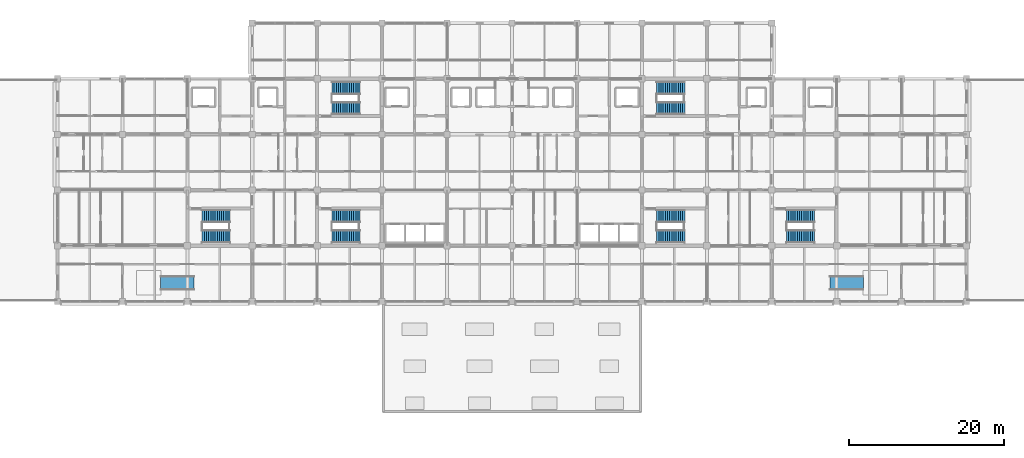
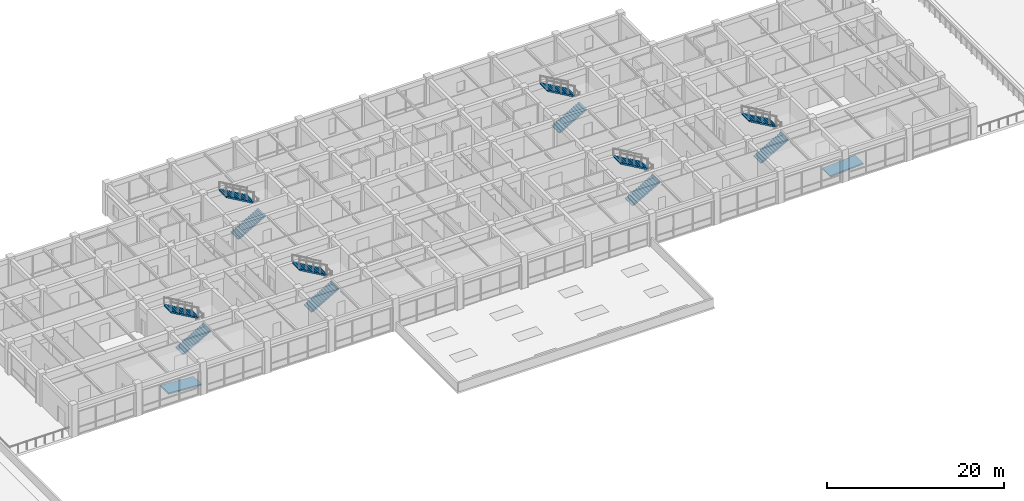
# One storey, part 33 of 40: 12 stair flights, 2 ramp flights, 8 elements without a shape of their own.
"""IFC4 building model written with IfcOpenShell, lengths in metres."""

from ifc_helpers import new_model, si_unit, direction, frame, origin, place, context, subcontext, project, spatial, polyline, outline, extrude, material, layer, layer_set, type_object, element, aggregate, save


model = new_model("IFC4")

# Units and contexts
model_context = context("Model", 3, precision=1e-05, world=origin(), true_north=direction((0.0, 1.0)))
body_context = subcontext(model_context, "Body", "Model", "MODEL_VIEW")
ifc_project = project(units=[si_unit("LENGTHUNIT", "METRE"), si_unit("AREAUNIT", "SQUARE_METRE"), si_unit("VOLUMEUNIT", "CUBIC_METRE"), si_unit("PLANEANGLEUNIT", "RADIAN"), si_unit("MASSUNIT", "GRAM", prefix="KILO")], contexts=[model_context])

# Site, building, storey
site_placement = place(None, origin())
site = spatial("IfcSite", under=ifc_project, at=site_placement, CompositionType="ELEMENT")
building_placement = place(site_placement, origin())
building = spatial("IfcBuilding", under=site, at=building_placement, Name="Chengyuan Square Courthouse", CompositionType="ELEMENT")
storey_placement = place(building_placement, frame((0.0, 0.0, 21.60009765625)))
storey = spatial("IfcBuildingStorey", under=building, at=storey_placement, Name="L05", CompositionType="ELEMENT", Elevation=21.60009765625)

# Stair, stair flights
ifc_material = material(Name="Concrete C40", Category="concrete")
stair_type_1 = type_object("IfcStairType", Name="ST-TYPE-01", PredefinedType="HALF_TURN_STAIR", material=ifc_material)
stair_1_placement = place(storey_placement, origin())
stair_1 = element("IfcStair", 1, at=stair_1_placement, inside=storey, type_object=stair_type_1, Name="Smoke-Proof Exit Stair ST-1 (L05 to L06)", PredefinedType="HALF_TURN_STAIR")
stair_flight_type_1 = type_object("IfcStairFlightType", Name="STF-TYPE-01", PredefinedType="STRAIGHT", material=ifc_material)
stair_flight_1_placement = place(storey_placement, frame((60.7099609375, 104.175048828125, 0.0), z_axis=(0.0, 0.0, 1.0), x_axis=(1.0, 0.0, 0.0)))
stair_flight_1 = element("IfcStairFlight", 2, at=stair_flight_1_placement, type_object=stair_flight_type_1, Name="ST-1 flight 1", NumberOfRisers=14, NumberOfTreads=13, PredefinedType="STRAIGHT", RiserHeight=0.160714286, TreadLength=0.28, context=body_context, shape_type="SweptSolid", body=[
    extrude(outline(polyline([(0.0, 0.0), (0.0, 0.16064453125), (0.280029296875, 0.16064453125), (0.280029296875, 0.321533203125), (0.56005859375, 0.321533203125), (0.56005859375, 0.482177734375), (0.840087890625, 0.482177734375), (0.840087890625, 0.642822265625), (1.1201171875, 0.642822265625), (1.1201171875, 0.803466796875), (1.39990234375, 0.803466796875), (1.39990234375, 0.96435546875), (1.679931640625, 0.96435546875), (1.679931640625, 1.125), (1.9599609375, 1.125), (1.9599609375, 1.28564453125), (2.239990234375, 1.28564453125), (2.239990234375, 1.446533203125), (2.52001953125, 1.446533203125), (2.52001953125, 1.607177734375), (2.800048828125, 1.607177734375), (2.800048828125, 1.767822265625), (3.080078125, 1.767822265625), (3.080078125, 1.928466796875), (3.360107421875, 1.928466796875), (3.360107421875, 2.08935546875), (3.639892578125, 2.08935546875), (3.639892578125, 2.25), (3.639892578125, 1.91650390625), (0.301025390625, 0.0), (0.0, 0.0)])), frame((0.0, 0.824951171875, 0.0), z_axis=(0.0, -1.0, 0.0), x_axis=(1.0, 0.0, 0.0)), (0.0, 0.0, 1.0), 1.64990234375),
])
stair_flight_2_placement = place(storey_placement, frame((64.35009765625, 106.824951171875, 2.25), z_axis=(0.0, 0.0, 1.0), x_axis=(-1.0, 0.0, 0.0)))
stair_flight_2 = element("IfcStairFlight", 3, at=stair_flight_2_placement, type_object=stair_flight_type_1, Name="ST-1 flight 2", NumberOfRisers=14, NumberOfTreads=13, PredefinedType="STRAIGHT", RiserHeight=0.160714286, TreadLength=0.28, context=body_context, shape_type="SweptSolid", body=[
    extrude(outline(polyline([(0.0, 0.0), (0.0, 0.16064453125), (0.280029296875, 0.16064453125), (0.280029296875, 0.321533203125), (0.56005859375, 0.321533203125), (0.56005859375, 0.482177734375), (0.840087890625, 0.482177734375), (0.840087890625, 0.642822265625), (1.1201171875, 0.642822265625), (1.1201171875, 0.803466796875), (1.39990234375, 0.803466796875), (1.39990234375, 0.96435546875), (1.679931640625, 0.96435546875), (1.679931640625, 1.125), (1.9599609375, 1.125), (1.9599609375, 1.28564453125), (2.239990234375, 1.28564453125), (2.239990234375, 1.446533203125), (2.52001953125, 1.446533203125), (2.52001953125, 1.607177734375), (2.800048828125, 1.607177734375), (2.800048828125, 1.767822265625), (3.080078125, 1.767822265625), (3.080078125, 1.928466796875), (3.360107421875, 1.928466796875), (3.360107421875, 2.08935546875), (3.639892578125, 2.08935546875), (3.639892578125, 2.25), (3.639892578125, 1.91650390625), (0.301025390625, 0.0), (0.0, 0.0)])), frame((0.0, 0.824951171875, 0.0), z_axis=(0.0, -1.0, 0.0), x_axis=(1.0, 0.0, 0.0)), (0.0, 0.0, 1.0), 1.64990234375),
])
aggregate(stair_1, [stair_flight_1, stair_flight_2])

stair_type_2 = type_object("IfcStairType", Name="ST-TYPE-02", PredefinedType="HALF_TURN_STAIR", material=ifc_material)
stair_2_placement = place(storey_placement, origin())
stair_2 = element("IfcStair", 4, at=stair_2_placement, inside=storey, type_object=stair_type_2, Name="Smoke-Proof Exit Stair ST-2 (L05 to L06)", PredefinedType="HALF_TURN_STAIR")
stair_flight_type_2 = type_object("IfcStairFlightType", Name="STF-TYPE-02", PredefinedType="STRAIGHT", material=ifc_material)
stair_flight_3_placement = place(storey_placement, frame((102.7099609375, 104.175048828125, 0.0), z_axis=(0.0, 0.0, 1.0), x_axis=(1.0, 0.0, 0.0)))
stair_flight_3 = element("IfcStairFlight", 5, at=stair_flight_3_placement, type_object=stair_flight_type_2, Name="ST-2 flight 1", NumberOfRisers=14, NumberOfTreads=13, PredefinedType="STRAIGHT", RiserHeight=0.160714286, TreadLength=0.28, context=body_context, shape_type="SweptSolid", body=[
    extrude(outline(polyline([(0.0, 0.0), (0.0, 0.16064453125), (0.280029296875, 0.16064453125), (0.280029296875, 0.321533203125), (0.56005859375, 0.321533203125), (0.56005859375, 0.482177734375), (0.840087890625, 0.482177734375), (0.840087890625, 0.642822265625), (1.1201171875, 0.642822265625), (1.1201171875, 0.803466796875), (1.39990234375, 0.803466796875), (1.39990234375, 0.96435546875), (1.679931640625, 0.96435546875), (1.679931640625, 1.125), (1.9599609375, 1.125), (1.9599609375, 1.28564453125), (2.239990234375, 1.28564453125), (2.239990234375, 1.446533203125), (2.52001953125, 1.446533203125), (2.52001953125, 1.607177734375), (2.800048828125, 1.607177734375), (2.800048828125, 1.767822265625), (3.080078125, 1.767822265625), (3.080078125, 1.928466796875), (3.360107421875, 1.928466796875), (3.360107421875, 2.08935546875), (3.639892578125, 2.08935546875), (3.639892578125, 2.25), (3.639892578125, 1.91650390625), (0.301025390625, 0.0), (0.0, 0.0)])), frame((0.0, 0.824951171875, 0.0), z_axis=(0.0, -1.0, 0.0), x_axis=(1.0, 0.0, 0.0)), (0.0, 0.0, 1.0), 1.64990234375),
])
stair_flight_4_placement = place(storey_placement, frame((106.35009765625, 106.824951171875, 2.25), z_axis=(0.0, 0.0, 1.0), x_axis=(-1.0, 0.0, 0.0)))
stair_flight_4 = element("IfcStairFlight", 6, at=stair_flight_4_placement, type_object=stair_flight_type_2, Name="ST-2 flight 2", NumberOfRisers=14, NumberOfTreads=13, PredefinedType="STRAIGHT", RiserHeight=0.160714286, TreadLength=0.28, context=body_context, shape_type="SweptSolid", body=[
    extrude(outline(polyline([(0.0, 0.0), (0.0, 0.16064453125), (0.280029296875, 0.16064453125), (0.280029296875, 0.321533203125), (0.56005859375, 0.321533203125), (0.56005859375, 0.482177734375), (0.840087890625, 0.482177734375), (0.840087890625, 0.642822265625), (1.1201171875, 0.642822265625), (1.1201171875, 0.803466796875), (1.39990234375, 0.803466796875), (1.39990234375, 0.96435546875), (1.679931640625, 0.96435546875), (1.679931640625, 1.125), (1.9599609375, 1.125), (1.9599609375, 1.28564453125), (2.239990234375, 1.28564453125), (2.239990234375, 1.446533203125), (2.52001953125, 1.446533203125), (2.52001953125, 1.607177734375), (2.800048828125, 1.607177734375), (2.800048828125, 1.767822265625), (3.080078125, 1.767822265625), (3.080078125, 1.928466796875), (3.360107421875, 1.928466796875), (3.360107421875, 2.08935546875), (3.639892578125, 2.08935546875), (3.639892578125, 2.25), (3.639892578125, 1.91650390625), (0.301025390625, 0.0), (0.0, 0.0)])), frame((0.0, 0.824951171875, 0.0), z_axis=(0.0, -1.0, 0.0), x_axis=(1.0, 0.0, 0.0)), (0.0, 0.0, 1.0), 1.64990234375),
])
aggregate(stair_2, [stair_flight_3, stair_flight_4])

stair_type_3 = type_object("IfcStairType", Name="ST-TYPE-03", PredefinedType="HALF_TURN_STAIR", material=ifc_material)
stair_3_placement = place(storey_placement, origin())
stair_3 = element("IfcStair", 7, at=stair_3_placement, inside=storey, type_object=stair_type_3, Name="Smoke-Proof Exit Stair ST-3 (L05 to L06)", PredefinedType="HALF_TURN_STAIR")
stair_flight_type_3 = type_object("IfcStairFlightType", Name="STF-TYPE-03", PredefinedType="STRAIGHT", material=ifc_material)
stair_flight_5_placement = place(storey_placement, frame((60.7099609375, 87.574951171875, 0.0), z_axis=(0.0, 0.0, 1.0), x_axis=(1.0, 0.0, 0.0)))
stair_flight_5 = element("IfcStairFlight", 8, at=stair_flight_5_placement, type_object=stair_flight_type_3, Name="ST-3 flight 1", NumberOfRisers=14, NumberOfTreads=13, PredefinedType="STRAIGHT", RiserHeight=0.160714286, TreadLength=0.28, context=body_context, shape_type="SweptSolid", body=[
    extrude(outline(polyline([(0.0, 0.0), (0.0, 0.16064453125), (0.280029296875, 0.16064453125), (0.280029296875, 0.321533203125), (0.56005859375, 0.321533203125), (0.56005859375, 0.482177734375), (0.840087890625, 0.482177734375), (0.840087890625, 0.642822265625), (1.1201171875, 0.642822265625), (1.1201171875, 0.803466796875), (1.39990234375, 0.803466796875), (1.39990234375, 0.96435546875), (1.679931640625, 0.96435546875), (1.679931640625, 1.125), (1.9599609375, 1.125), (1.9599609375, 1.28564453125), (2.239990234375, 1.28564453125), (2.239990234375, 1.446533203125), (2.52001953125, 1.446533203125), (2.52001953125, 1.607177734375), (2.800048828125, 1.607177734375), (2.800048828125, 1.767822265625), (3.080078125, 1.767822265625), (3.080078125, 1.928466796875), (3.360107421875, 1.928466796875), (3.360107421875, 2.08935546875), (3.639892578125, 2.08935546875), (3.639892578125, 2.25), (3.639892578125, 1.91650390625), (0.301025390625, 0.0), (0.0, 0.0)])), frame((0.0, 0.824951171875, 0.0), z_axis=(0.0, -1.0, 0.0), x_axis=(1.0, 0.0, 0.0)), (0.0, 0.0, 1.0), 1.64990234375),
])
stair_flight_6_placement = place(storey_placement, frame((64.35009765625, 90.22509765625, 2.25), z_axis=(0.0, 0.0, 1.0), x_axis=(-1.0, 0.0, 0.0)))
stair_flight_6 = element("IfcStairFlight", 9, at=stair_flight_6_placement, type_object=stair_flight_type_3, Name="ST-3 flight 2", NumberOfRisers=14, NumberOfTreads=13, PredefinedType="STRAIGHT", RiserHeight=0.160714286, TreadLength=0.28, context=body_context, shape_type="SweptSolid", body=[
    extrude(outline(polyline([(0.0, 0.0), (0.0, 0.16064453125), (0.280029296875, 0.16064453125), (0.280029296875, 0.321533203125), (0.56005859375, 0.321533203125), (0.56005859375, 0.482177734375), (0.840087890625, 0.482177734375), (0.840087890625, 0.642822265625), (1.1201171875, 0.642822265625), (1.1201171875, 0.803466796875), (1.39990234375, 0.803466796875), (1.39990234375, 0.96435546875), (1.679931640625, 0.96435546875), (1.679931640625, 1.125), (1.9599609375, 1.125), (1.9599609375, 1.28564453125), (2.239990234375, 1.28564453125), (2.239990234375, 1.446533203125), (2.52001953125, 1.446533203125), (2.52001953125, 1.607177734375), (2.800048828125, 1.607177734375), (2.800048828125, 1.767822265625), (3.080078125, 1.767822265625), (3.080078125, 1.928466796875), (3.360107421875, 1.928466796875), (3.360107421875, 2.08935546875), (3.639892578125, 2.08935546875), (3.639892578125, 2.25), (3.639892578125, 1.91650390625), (0.301025390625, 0.0), (0.0, 0.0)])), frame((0.0, 0.824951171875, 0.0), z_axis=(0.0, -1.0, 0.0), x_axis=(1.0, 0.0, 0.0)), (0.0, 0.0, 1.0), 1.64990234375),
])
aggregate(stair_3, [stair_flight_5, stair_flight_6])

stair_type_4 = type_object("IfcStairType", Name="ST-TYPE-04", PredefinedType="HALF_TURN_STAIR", material=ifc_material)
stair_4_placement = place(storey_placement, origin())
stair_4 = element("IfcStair", 10, at=stair_4_placement, inside=storey, type_object=stair_type_4, Name="Smoke-Proof Exit Stair ST-4 (L05 to L06)", PredefinedType="HALF_TURN_STAIR")
stair_flight_type_4 = type_object("IfcStairFlightType", Name="STF-TYPE-04", PredefinedType="STRAIGHT", material=ifc_material)
stair_flight_7_placement = place(storey_placement, frame((102.7099609375, 87.574951171875, 0.0), z_axis=(0.0, 0.0, 1.0), x_axis=(1.0, 0.0, 0.0)))
stair_flight_7 = element("IfcStairFlight", 11, at=stair_flight_7_placement, type_object=stair_flight_type_4, Name="ST-4 flight 1", NumberOfRisers=14, NumberOfTreads=13, PredefinedType="STRAIGHT", RiserHeight=0.160714286, TreadLength=0.28, context=body_context, shape_type="SweptSolid", body=[
    extrude(outline(polyline([(0.0, 0.0), (0.0, 0.16064453125), (0.280029296875, 0.16064453125), (0.280029296875, 0.321533203125), (0.56005859375, 0.321533203125), (0.56005859375, 0.482177734375), (0.840087890625, 0.482177734375), (0.840087890625, 0.642822265625), (1.1201171875, 0.642822265625), (1.1201171875, 0.803466796875), (1.39990234375, 0.803466796875), (1.39990234375, 0.96435546875), (1.679931640625, 0.96435546875), (1.679931640625, 1.125), (1.9599609375, 1.125), (1.9599609375, 1.28564453125), (2.239990234375, 1.28564453125), (2.239990234375, 1.446533203125), (2.52001953125, 1.446533203125), (2.52001953125, 1.607177734375), (2.800048828125, 1.607177734375), (2.800048828125, 1.767822265625), (3.080078125, 1.767822265625), (3.080078125, 1.928466796875), (3.360107421875, 1.928466796875), (3.360107421875, 2.08935546875), (3.639892578125, 2.08935546875), (3.639892578125, 2.25), (3.639892578125, 1.91650390625), (0.301025390625, 0.0), (0.0, 0.0)])), frame((0.0, 0.824951171875, 0.0), z_axis=(0.0, -1.0, 0.0), x_axis=(1.0, 0.0, 0.0)), (0.0, 0.0, 1.0), 1.64990234375),
])
stair_flight_8_placement = place(storey_placement, frame((106.35009765625, 90.22509765625, 2.25), z_axis=(0.0, 0.0, 1.0), x_axis=(-1.0, 0.0, 0.0)))
stair_flight_8 = element("IfcStairFlight", 12, at=stair_flight_8_placement, type_object=stair_flight_type_4, Name="ST-4 flight 2", NumberOfRisers=14, NumberOfTreads=13, PredefinedType="STRAIGHT", RiserHeight=0.160714286, TreadLength=0.28, context=body_context, shape_type="SweptSolid", body=[
    extrude(outline(polyline([(0.0, 0.0), (0.0, 0.16064453125), (0.280029296875, 0.16064453125), (0.280029296875, 0.321533203125), (0.56005859375, 0.321533203125), (0.56005859375, 0.482177734375), (0.840087890625, 0.482177734375), (0.840087890625, 0.642822265625), (1.1201171875, 0.642822265625), (1.1201171875, 0.803466796875), (1.39990234375, 0.803466796875), (1.39990234375, 0.96435546875), (1.679931640625, 0.96435546875), (1.679931640625, 1.125), (1.9599609375, 1.125), (1.9599609375, 1.28564453125), (2.239990234375, 1.28564453125), (2.239990234375, 1.446533203125), (2.52001953125, 1.446533203125), (2.52001953125, 1.607177734375), (2.800048828125, 1.607177734375), (2.800048828125, 1.767822265625), (3.080078125, 1.767822265625), (3.080078125, 1.928466796875), (3.360107421875, 1.928466796875), (3.360107421875, 2.08935546875), (3.639892578125, 2.08935546875), (3.639892578125, 2.25), (3.639892578125, 1.91650390625), (0.301025390625, 0.0), (0.0, 0.0)])), frame((0.0, 0.824951171875, 0.0), z_axis=(0.0, -1.0, 0.0), x_axis=(1.0, 0.0, 0.0)), (0.0, 0.0, 1.0), 1.64990234375),
])
aggregate(stair_4, [stair_flight_7, stair_flight_8])

stair_type_5 = type_object("IfcStairType", Name="ST-TYPE-05", PredefinedType="HALF_TURN_STAIR", material=ifc_material)
stair_5_placement = place(storey_placement, origin())
stair_5 = element("IfcStair", 13, at=stair_5_placement, inside=storey, type_object=stair_type_5, Name="Smoke-Proof Exit Stair ST-5 (L05 to L06)", PredefinedType="HALF_TURN_STAIR")
stair_flight_type_5 = type_object("IfcStairFlightType", Name="STF-TYPE-05", PredefinedType="STRAIGHT", material=ifc_material)
stair_flight_9_placement = place(storey_placement, frame((43.909912109375, 87.574951171875, 0.0), z_axis=(0.0, 0.0, 1.0), x_axis=(1.0, 0.0, 0.0)))
stair_flight_9 = element("IfcStairFlight", 14, at=stair_flight_9_placement, type_object=stair_flight_type_5, Name="ST-5 flight 1", NumberOfRisers=14, NumberOfTreads=13, PredefinedType="STRAIGHT", RiserHeight=0.160714286, TreadLength=0.28, context=body_context, shape_type="SweptSolid", body=[
    extrude(outline(polyline([(0.0, 0.0), (0.0, 0.16064453125), (0.280029296875, 0.16064453125), (0.280029296875, 0.321533203125), (0.56005859375, 0.321533203125), (0.56005859375, 0.482177734375), (0.840087890625, 0.482177734375), (0.840087890625, 0.642822265625), (1.1201171875, 0.642822265625), (1.1201171875, 0.803466796875), (1.39990234375, 0.803466796875), (1.39990234375, 0.96435546875), (1.679931640625, 0.96435546875), (1.679931640625, 1.125), (1.9599609375, 1.125), (1.9599609375, 1.28564453125), (2.239990234375, 1.28564453125), (2.239990234375, 1.446533203125), (2.52001953125, 1.446533203125), (2.52001953125, 1.607177734375), (2.800048828125, 1.607177734375), (2.800048828125, 1.767822265625), (3.080078125, 1.767822265625), (3.080078125, 1.928466796875), (3.360107421875, 1.928466796875), (3.360107421875, 2.08935546875), (3.639892578125, 2.08935546875), (3.639892578125, 2.25), (3.639892578125, 1.91650390625), (0.301025390625, 0.0), (0.0, 0.0)])), frame((0.0, 0.824951171875, 0.0), z_axis=(0.0, -1.0, 0.0), x_axis=(1.0, 0.0, 0.0)), (0.0, 0.0, 1.0), 1.64990234375),
])
stair_flight_10_placement = place(storey_placement, frame((47.550048828125, 90.22509765625, 2.25), z_axis=(0.0, 0.0, 1.0), x_axis=(-1.0, 0.0, 0.0)))
stair_flight_10 = element("IfcStairFlight", 15, at=stair_flight_10_placement, type_object=stair_flight_type_5, Name="ST-5 flight 2", NumberOfRisers=14, NumberOfTreads=13, PredefinedType="STRAIGHT", RiserHeight=0.160714286, TreadLength=0.28, context=body_context, shape_type="SweptSolid", body=[
    extrude(outline(polyline([(0.0, 0.0), (0.0, 0.16064453125), (0.280029296875, 0.16064453125), (0.280029296875, 0.321533203125), (0.56005859375, 0.321533203125), (0.56005859375, 0.482177734375), (0.840087890625, 0.482177734375), (0.840087890625, 0.642822265625), (1.1201171875, 0.642822265625), (1.1201171875, 0.803466796875), (1.39990234375, 0.803466796875), (1.39990234375, 0.96435546875), (1.679931640625, 0.96435546875), (1.679931640625, 1.125), (1.9599609375, 1.125), (1.9599609375, 1.28564453125), (2.239990234375, 1.28564453125), (2.239990234375, 1.446533203125), (2.52001953125, 1.446533203125), (2.52001953125, 1.607177734375), (2.800048828125, 1.607177734375), (2.800048828125, 1.767822265625), (3.080078125, 1.767822265625), (3.080078125, 1.928466796875), (3.360107421875, 1.928466796875), (3.360107421875, 2.08935546875), (3.639892578125, 2.08935546875), (3.639892578125, 2.25), (3.639892578125, 1.91650390625), (0.301025390625, 0.0), (0.0, 0.0)])), frame((0.0, 0.824951171875, 0.0), z_axis=(0.0, -1.0, 0.0), x_axis=(1.0, 0.0, 0.0)), (0.0, 0.0, 1.0), 1.64990234375),
])
aggregate(stair_5, [stair_flight_9, stair_flight_10])

stair_type_6 = type_object("IfcStairType", Name="ST-TYPE-06", PredefinedType="HALF_TURN_STAIR", material=ifc_material)
stair_6_placement = place(storey_placement, origin())
stair_6 = element("IfcStair", 16, at=stair_6_placement, inside=storey, type_object=stair_type_6, Name="Smoke-Proof Exit Stair ST-6 (L05 to L06)", PredefinedType="HALF_TURN_STAIR")
stair_flight_type_6 = type_object("IfcStairFlightType", Name="STF-TYPE-06", PredefinedType="STRAIGHT", material=ifc_material)
stair_flight_11_placement = place(storey_placement, frame((119.510009765625, 87.574951171875, 0.0), z_axis=(0.0, 0.0, 1.0), x_axis=(1.0, 0.0, 0.0)))
stair_flight_11 = element("IfcStairFlight", 17, at=stair_flight_11_placement, type_object=stair_flight_type_6, Name="ST-6 flight 1", NumberOfRisers=14, NumberOfTreads=13, PredefinedType="STRAIGHT", RiserHeight=0.160714286, TreadLength=0.28, context=body_context, shape_type="SweptSolid", body=[
    extrude(outline(polyline([(0.0, 0.0), (0.0, 0.16064453125), (0.280029296875, 0.16064453125), (0.280029296875, 0.321533203125), (0.56005859375, 0.321533203125), (0.56005859375, 0.482177734375), (0.840087890625, 0.482177734375), (0.840087890625, 0.642822265625), (1.1201171875, 0.642822265625), (1.1201171875, 0.803466796875), (1.39990234375, 0.803466796875), (1.39990234375, 0.96435546875), (1.679931640625, 0.96435546875), (1.679931640625, 1.125), (1.9599609375, 1.125), (1.9599609375, 1.28564453125), (2.239990234375, 1.28564453125), (2.239990234375, 1.446533203125), (2.52001953125, 1.446533203125), (2.52001953125, 1.607177734375), (2.800048828125, 1.607177734375), (2.800048828125, 1.767822265625), (3.080078125, 1.767822265625), (3.080078125, 1.928466796875), (3.360107421875, 1.928466796875), (3.360107421875, 2.08935546875), (3.639892578125, 2.08935546875), (3.639892578125, 2.25), (3.639892578125, 1.91650390625), (0.301025390625, 0.0), (0.0, 0.0)])), frame((0.0, 0.824951171875, 0.0), z_axis=(0.0, -1.0, 0.0), x_axis=(1.0, 0.0, 0.0)), (0.0, 0.0, 1.0), 1.64990234375),
])
stair_flight_12_placement = place(storey_placement, frame((123.14990234375, 90.22509765625, 2.25), z_axis=(0.0, 0.0, 1.0), x_axis=(-1.0, 0.0, 0.0)))
stair_flight_12 = element("IfcStairFlight", 18, at=stair_flight_12_placement, type_object=stair_flight_type_6, Name="ST-6 flight 2", NumberOfRisers=14, NumberOfTreads=13, PredefinedType="STRAIGHT", RiserHeight=0.160714286, TreadLength=0.28, context=body_context, shape_type="SweptSolid", body=[
    extrude(outline(polyline([(0.0, 0.0), (0.0, 0.16064453125), (0.280029296875, 0.16064453125), (0.280029296875, 0.321533203125), (0.56005859375, 0.321533203125), (0.56005859375, 0.482177734375), (0.840087890625, 0.482177734375), (0.840087890625, 0.642822265625), (1.1201171875, 0.642822265625), (1.1201171875, 0.803466796875), (1.39990234375, 0.803466796875), (1.39990234375, 0.96435546875), (1.679931640625, 0.96435546875), (1.679931640625, 1.125), (1.9599609375, 1.125), (1.9599609375, 1.28564453125), (2.239990234375, 1.28564453125), (2.239990234375, 1.446533203125), (2.52001953125, 1.446533203125), (2.52001953125, 1.607177734375), (2.800048828125, 1.607177734375), (2.800048828125, 1.767822265625), (3.080078125, 1.767822265625), (3.080078125, 1.928466796875), (3.360107421875, 1.928466796875), (3.360107421875, 2.08935546875), (3.639892578125, 2.08935546875), (3.639892578125, 2.25), (3.639892578125, 1.91650390625), (0.301025390625, 0.0), (0.0, 0.0)])), frame((0.0, 0.824951171875, 0.0), z_axis=(0.0, -1.0, 0.0), x_axis=(1.0, 0.0, 0.0)), (0.0, 0.0, 1.0), 1.64990234375),
])
aggregate(stair_6, [stair_flight_11, stair_flight_12])

# Ramp, ramp flight
ramp_type = type_object("IfcRampType", Name="RMP-A1", PredefinedType="STRAIGHT_RUN_RAMP", material=ifc_material)
ramp_1_placement = place(storey_placement, origin())
ramp_1 = element("IfcRamp", 19, at=ramp_1_placement, inside=storey, type_object=ramp_type, Name="Accessible Judicial Bench Ramp 3", PredefinedType="STRAIGHT_RUN_RAMP")
ifc_layer = layer(ifc_material, 0.199951171875)
ifc_layer_set = layer_set([ifc_layer], Name="Concrete C40")
ramp_flight_type = type_object("IfcRampFlightType", Name="RMF-A1", PredefinedType="STRAIGHT", material=ifc_layer_set)
ramp_flight_1_placement = place(storey_placement, frame((42.8701171875, 80.699951171875, 0.0), z_axis=(0.06238179763, 0.0, 0.99805235901), x_axis=(0.0, 1.0, 0.0)))
ramp_flight_1 = element("IfcRampFlight", 20, at=ramp_flight_1_placement, type_object=ramp_flight_type, Name="Accessible Judicial Bench Ramp Flight 3", PredefinedType="STRAIGHT", context=body_context, shape_type="SweptSolid", body=[
    extrude(outline(polyline([(0.0, 0.0), (1.800048828125, 0.0), (1.800048828125, 4.328498720911152), (0.0, 4.328498720911152), (0.0, 0.0)])), origin(), (0.0, 0.0, -1.0), 0.199951171875),
])
aggregate(ramp_1, [ramp_flight_1])

ramp_2_placement = place(storey_placement, origin())
ramp_2 = element("IfcRamp", 21, at=ramp_2_placement, inside=storey, type_object=ramp_type, Name="Accessible Judicial Bench Ramp 4", PredefinedType="STRAIGHT_RUN_RAMP")
ramp_flight_2_placement = place(storey_placement, frame((125.1298828125, 80.699951171875, 0.0), z_axis=(-0.06238179763, 0.0, 0.99805235901), x_axis=(0.0, 1.0, 0.0)))
ramp_flight_2 = element("IfcRampFlight", 22, at=ramp_flight_2_placement, type_object=ramp_flight_type, Name="Accessible Judicial Bench Ramp Flight 4", PredefinedType="STRAIGHT", context=body_context, shape_type="SweptSolid", body=[
    extrude(outline(polyline([(0.0, 0.0), (1.800048828125, 0.0), (1.800048828125, -4.328498720911152), (0.0, -4.328498720911152), (0.0, 0.0)])), origin(), (0.0, 0.0, -1.0), 0.199951171875),
])
aggregate(ramp_2, [ramp_flight_2])

save(model, "model.ifc")
